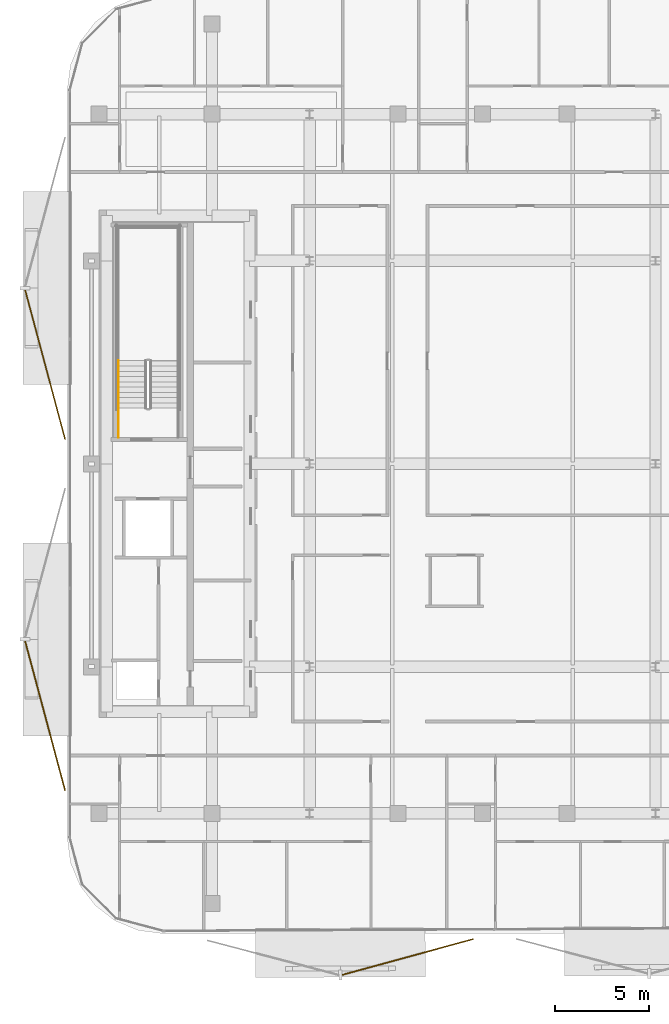
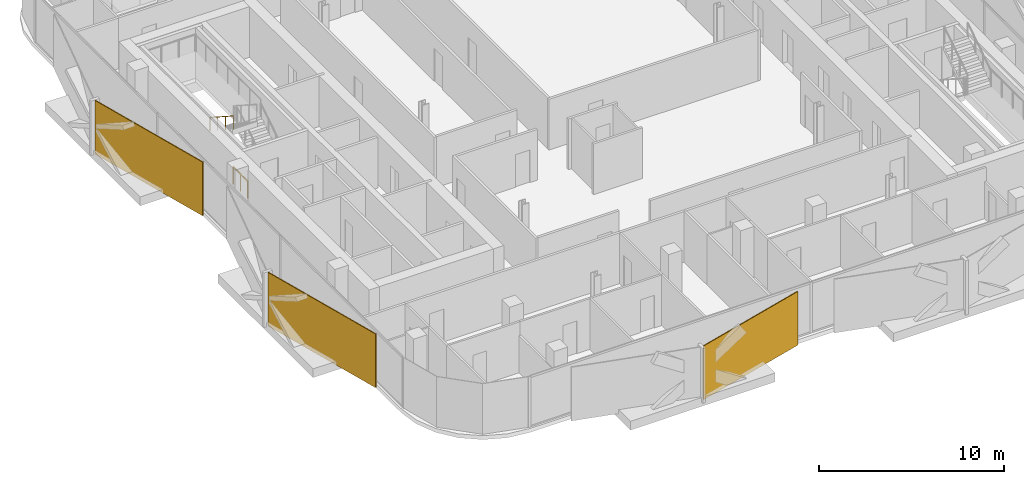
# One storey, part 12 of 15: 3 coverings, 2 railings.
"""IFC4 building model written with IfcOpenShell, lengths in metres."""

import ifcopenshell
import ifcopenshell.guid

model = None  # the IFC model being written
_history = None  # IfcOwnerHistory: only IFC2X3 demands one
_inside = {}  # id of a spatial element -> (the spatial element, [elements in it])
_under = {}  # id of a project, library or spatial element -> (it, [spatial elements below it])
_declared = {}  # id of a project -> (the project, [libraries it declares])
_typed = {}  # id of a type object -> (the type object, [elements of that type])
_made_of = {}  # id of a material, layer set ... -> (it, [elements and type objects made of it])


def new_model(schema):
    """Start an empty IFC model of exactly this schema.

    Asked for "IFC4X3", IfcOpenShell would pick the latest addendum, in which some entities
    have other attributes; the version numbers below select the first issue.
    IFC2X3 requires an IfcOwnerHistory on every rooted entity: one is made here for all.
    """
    global model, _history
    if schema == "IFC4X3":
        model = ifcopenshell.file(schema_version=(4, 3, 0, 0))
    else:
        model = ifcopenshell.file(schema=schema)
    _inside.clear()
    _under.clear()
    _declared.clear()
    _typed.clear()
    _made_of.clear()
    _history = None
    if model.schema == "IFC2X3":
        org = make("IfcOrganization", Name="unknown")
        user = make(
            "IfcPersonAndOrganization",
            ThePerson=make("IfcPerson", FamilyName="unknown"),
            TheOrganization=org,
        )
        app = make(
            "IfcApplication",
            ApplicationDeveloper=org,
            Version="unknown",
            ApplicationFullName="unknown",
            ApplicationIdentifier="unknown",
        )
        _history = make(
            "IfcOwnerHistory",
            OwningUser=user,
            OwningApplication=app,
            ChangeAction="ADDED",
            CreationDate=0,
        )
    return model


def make(cls, **values):
    """One entity of the class cls with the attributes given. An attribute that is None is left unset."""
    return model.create_entity(
        cls, **{name: value for name, value in values.items() if value is not None}
    )


def rooted(cls, **values):
    """An entity with a GlobalId (a new one), such as an element, a storey or a relation."""
    return make(cls, GlobalId=ifcopenshell.guid.new(), OwnerHistory=_history, **values)


def si_unit(unit_type, name, prefix=None):
    """IfcSIUnit, for example si_unit("LENGTHUNIT", "METRE", prefix="MILLI")."""
    return make("IfcSIUnit", UnitType=unit_type, Prefix=prefix, Name=name)


def assignment(units):
    """IfcUnitAssignment: the units of a project."""
    return None if units is None else make("IfcUnitAssignment", Units=units)


def point(xyz):
    """IfcCartesianPoint."""
    return None if xyz is None else make("IfcCartesianPoint", Coordinates=xyz)


def direction(xyz):
    """IfcDirection."""
    return None if xyz is None else make("IfcDirection", DirectionRatios=xyz)


def frame(location, z_axis=None, x_axis=None):
    """IfcAxis2Placement3D, a coordinate frame: its origin and axes. An axis left out is left unset."""
    return make(
        "IfcAxis2Placement3D",
        Location=point(location),
        Axis=direction(z_axis),
        RefDirection=direction(x_axis),
    )


def frame_2d(location, x_axis=None):
    """IfcAxis2Placement2D, a coordinate frame in the plane: its origin and x axis."""
    return make(
        "IfcAxis2Placement2D", Location=point(location), RefDirection=direction(x_axis)
    )


def origin():
    """The frame at (0, 0, 0) with its axes left unset."""
    return frame((0.0, 0.0, 0.0))


def origin_2d():
    """The frame at (0, 0) in the plane with its x axis left unset."""
    return frame_2d((0.0, 0.0))


def place(relative_to, where):
    """IfcLocalPlacement: puts the frame where relative to a parent placement (None: the world)."""
    return make(
        "IfcLocalPlacement", PlacementRelTo=relative_to, RelativePlacement=where
    )


def context(
    kind, dimensions, precision=None, world=None, true_north=None, identifier=None
):
    """IfcGeometricRepresentationContext, for example the 3D "Model" context."""
    return make(
        "IfcGeometricRepresentationContext",
        ContextIdentifier=identifier,
        ContextType=kind,
        CoordinateSpaceDimension=dimensions,
        Precision=precision,
        WorldCoordinateSystem=world,
        TrueNorth=true_north,
    )


def subcontext(parent, identifier, kind, view, scale=None):
    """IfcGeometricRepresentationSubContext, for example "Body" below "Model"."""
    return make(
        "IfcGeometricRepresentationSubContext",
        ContextIdentifier=identifier,
        ContextType=kind,
        ParentContext=parent,
        TargetScale=scale,
        TargetView=view,
    )


def project(units=None, contexts=None):
    """IfcProject with its units and contexts."""
    return rooted(
        "IfcProject",
        Name="project",
        RepresentationContexts=contexts,
        UnitsInContext=assignment(units),
    )


def spatial(cls, under=None, at=None, **own):
    """A site, building, storey or space (cls), placed at a placement, below another one or the project."""
    s = rooted(cls, ObjectPlacement=at, **own)
    if under is not None:
        _under.setdefault(under.id(), (under, []))[1].append(s)
    return s


def profile(cls, at=None, kind="AREA", **sizes):
    """A parametric profile (cls). Its sizes go by their IFC names, for example OverallWidth=200.0."""
    return make(cls, ProfileType=kind, Position=at, **sizes)


def rectangle(**sizes):
    """IfcRectangleProfileDef."""
    return profile("IfcRectangleProfileDef", **sizes)


def circle(**sizes):
    """IfcCircleProfileDef."""
    return profile("IfcCircleProfileDef", **sizes)


def extrude(swept, where, along, depth):
    """IfcExtrudedAreaSolid: the profile swept, set in the frame where, extruded along a direction by depth."""
    return make(
        "IfcExtrudedAreaSolid",
        SweptArea=swept,
        Position=where,
        ExtrudedDirection=direction(along),
        Depth=depth,
    )


def shape(context_of_items, identifier, shape_type, items):
    """IfcShapeRepresentation: the items that make up one representation, for example the "Body"."""
    return make(
        "IfcShapeRepresentation",
        ContextOfItems=context_of_items,
        RepresentationIdentifier=identifier,
        RepresentationType=shape_type,
        Items=items,
    )


def material(Name=None, Category=None):
    """IfcMaterial."""
    return make("IfcMaterial", Name=Name, Category=Category)


def layer(
    of_material, thickness, ventilated=None, Name=None, Category=None, Priority=None
):
    """IfcMaterialLayer: one layer of a wall or slab, of a material (None: an air gap)."""
    return make(
        "IfcMaterialLayer",
        Material=of_material,
        LayerThickness=thickness,
        IsVentilated=ventilated,
        Name=Name,
        Category=Category,
        Priority=Priority,
    )


def layer_set(layers, Name=None):
    """IfcMaterialLayerSet."""
    return make("IfcMaterialLayerSet", MaterialLayers=layers, LayerSetName=Name)


def made_of(thing, what):
    """Note that an element or type object is made of a material, layer set ...; save() writes the relation."""
    if what is not None:
        _made_of.setdefault(what.id(), (what, []))[1].append(thing)
    return thing


def type_object(cls, material=None, **own):
    """A type object (cls), such as IfcWallType, which elements share."""
    return made_of(rooted(cls, **own), material)


def element(
    cls,
    number,
    at=None,
    inside=None,
    cuts=None,
    type_object=None,
    material=None,
    context=None,
    identifier="Body",
    shape_type=None,
    held_by="IfcProductDefinitionShape",
    body=None,
    shapes=None,
    **own,
):
    """One element of the class cls, such as IfcWall. Its Tag is "e" and its number.

    at: its placement. inside: the storey or other place that contains it. cuts: it is an
    opening in that element (IfcRelVoidsElement). A single representation is given by context,
    identifier, shape_type and body (its items); several are given by shapes. held_by: the class
    of the entity that holds the representations. save() writes the other relations.
    """
    e = rooted(cls, Tag="e%d" % number, ObjectPlacement=at, **own)
    if body is not None:
        shapes = [shape(context, identifier, shape_type, body)]
    if shapes is not None:
        e.Representation = make(held_by, Representations=shapes)
    if inside is not None:
        _inside.setdefault(inside.id(), (inside, []))[1].append(e)
    if cuts is not None:
        rooted(
            "IfcRelVoidsElement", RelatingBuildingElement=cuts, RelatedOpeningElement=e
        )
    if type_object is not None:
        _typed.setdefault(type_object.id(), (type_object, []))[1].append(e)
    return made_of(e, material)


def aggregate(whole, parts):
    """IfcRelAggregates: a whole, such as a stair, and the parts it consists of."""
    return rooted("IfcRelAggregates", RelatingObject=whole, RelatedObjects=parts)


def save(model, path):
    """Write the relations noted so far, then the file.

    IfcRelAggregates (storeys below a building ...), IfcRelContainedInSpatialStructure (elements
    in a storey), IfcRelDefinesByType, IfcRelAssociatesMaterial and IfcRelDeclares: one each for
    every whole, place, type object, material and project.
    """
    for whole, parts in _under.values():
        aggregate(whole, parts)
    for where, things in _inside.values():
        rooted(
            "IfcRelContainedInSpatialStructure",
            RelatedElements=things,
            RelatingStructure=where,
        )
    for kind, things in _typed.values():
        rooted("IfcRelDefinesByType", RelatedObjects=things, RelatingType=kind)
    for what, things in _made_of.values():
        rooted("IfcRelAssociatesMaterial", RelatedObjects=things, RelatingMaterial=what)
    for by, libraries in _declared.values():
        rooted("IfcRelDeclares", RelatingContext=by, RelatedDefinitions=libraries)
    model.write(path)


model = new_model("IFC4")

# Units and contexts
model_context = context("Model", 3, precision=1e-05, world=origin(), true_north=direction((0.0, 1.0)))
body_context = subcontext(model_context, "Body", "Model", "MODEL_VIEW")
ifc_project = project(units=[si_unit("LENGTHUNIT", "METRE"), si_unit("AREAUNIT", "SQUARE_METRE"), si_unit("VOLUMEUNIT", "CUBIC_METRE"), si_unit("PLANEANGLEUNIT", "RADIAN"), si_unit("MASSUNIT", "GRAM", prefix="KILO")], contexts=[model_context])

# Site, building, storey
site_placement = place(None, origin())
site = spatial("IfcSite", under=ifc_project, at=site_placement, CompositionType="ELEMENT")
building_placement = place(site_placement, origin())
building = spatial("IfcBuilding", under=site, at=building_placement, Name="Khairoan Windgate Tower", CompositionType="ELEMENT")
storey_placement = place(building_placement, frame((0.0, 0.0, 226.0)))
storey = spatial("IfcBuildingStorey", under=building, at=storey_placement, Name="L52", CompositionType="ELEMENT", Elevation=226.0)

# Coverings
ifc_material_1 = material(Name="Anodised Bronze Aluminium 6063-T6", Category="aluminium")
ifc_layer = layer(ifc_material_1, 0.054931640625, Name="Anodised Bronze Aluminium 6063-T6")
ifc_layer_set = layer_set([ifc_layer], Name="Anodised Bronze Aluminium 6063-T6")
covering_type = type_object("IfcCoveringType", Name="Perforated Bronze-Ceramic Folded Solar Screen Cladding BSC-1", PredefinedType="CLADDING", material=ifc_layer_set)
covering_placement = place(storey_placement, frame((-3.982421875, -26.241455078125, -0.10009765625), z_axis=(0.0, 0.0, 1.0), x_axis=(-0.964649468762, -0.263536339841, 0.0)))
element("IfcCovering", 1, at=covering_placement, inside=storey, type_object=covering_type, Name="L52 Folded Bronze Solar Screen Facet 346L", PredefinedType="CLADDING", context=body_context, shape_type="SweptSolid", body=[
    extrude(rectangle(XDim=7.23193359375, YDim=0.054931640625, at=origin_2d()), origin(), (0.0, 0.0, 1.0), 3.5400390625),
])
for number, where, z_axis, x_axis, name in (
    (2, (-23.275634765625, -13.4072265625, -0.10009765625), (0.0, 0.0, 1.0), (-0.258819045103, 0.965925826289, 0.0), "L52 Folded Bronze Solar Screen Facet 347L"),
    (3, (-23.275634765625, 5.283447265625, -0.10009765625), (0.0, 0.0, 1.0), (-0.258819045103, 0.965925826289, 0.0), "L52 Folded Bronze Solar Screen Facet 348L"),
):
    element("IfcCovering", number, at=place(storey_placement, frame(where, z_axis=z_axis, x_axis=x_axis)), inside=storey, type_object=covering_type, Name=name, PredefinedType="CLADDING", context=body_context, shape_type="SweptSolid", body=[
        extrude(rectangle(XDim=8.22412109375, YDim=0.054931640625, at=origin_2d()), origin(), (0.0, 0.0, 1.0), 3.5400390625),
    ])

# Railings
ifc_material_2 = material(Name="Anodised Bronze Aluminium 6063-T6", Category="aluminium")
railing_type_1 = type_object("IfcRailingType", Name="Stair Wall Handrail SHR-900", PredefinedType="HANDRAIL", material=ifc_material_2)
railing_1_placement = place(storey_placement, frame((-19.3701171875, 5.47998046875, 1.97998046875)))
element("IfcRailing", 4, at=railing_1_placement, inside=storey, type_object=railing_type_1, Name="L52 ST2 stair handrail 2", PredefinedType="HANDRAIL", context=body_context, shape_type="SweptSolid", body=[
    extrude(circle(Radius=0.02392578125, at=origin_2d()), frame((0.0, 0.0, 0.8759765625), z_axis=(0.0, -0.841162588446, 0.540782303519), x_axis=(1.0, 0.0, 0.0)), (0.0, 0.0, 1.0), 2.995849609375),
    extrude(circle(Radius=0.02099609375, at=origin_2d()), origin(), (0.0, 0.0, 1.0), 0.851806640625),
    extrude(circle(Radius=0.02099609375, at=origin_2d()), frame((0.0, -0.840087890625, 0.5400390625)), (0.0, 0.0, 1.0), 0.851806640625),
    extrude(circle(Radius=0.02099609375, at=origin_2d()), frame((0.0, -1.679931640625, 1.080078125)), (0.0, 0.0, 1.0), 0.851806640625),
    extrude(circle(Radius=0.02099609375, at=origin_2d()), frame((0.0, -2.52001953125, 1.6201171875)), (0.0, 0.0, 1.0), 0.851806640625),
])
ifc_material_3 = material(Name="Steel S355", Category="steel")
railing_type_2 = type_object("IfcRailingType", Name="Stairwell Safety Guardrail SGR-1150", PredefinedType="GUARDRAIL", material=ifc_material_3)
railing_2_placement = place(storey_placement, frame((-19.3701171875, 1.39990234375, 0.0)))
element("IfcRailing", 5, at=railing_2_placement, inside=storey, type_object=railing_type_2, Name="L52 ST2 stair guard 9", PredefinedType="GUARDRAIL", context=body_context, shape_type="SweptSolid", body=[
    extrude(circle(Radius=0.02392578125, at=origin_2d()), frame((0.0, 0.0, 1.1259765625), z_axis=(0.0, 1.0, 0.0), x_axis=(-1.0, 0.0, 0.0)), (0.0, 0.0, 1.0), 1.56005859375),
    extrude(circle(Radius=0.02099609375, at=origin_2d()), origin(), (0.0, 0.0, 1.0), 1.101806640625),
    extrude(circle(Radius=0.02099609375, at=origin_2d()), frame((0.0, 0.780029296875, 0.0)), (0.0, 0.0, 1.0), 1.101806640625),
    extrude(circle(Radius=0.02099609375, at=origin_2d()), frame((0.0, 1.56005859375, 0.0)), (0.0, 0.0, 1.0), 1.101806640625),
])

save(model, "model.ifc")
